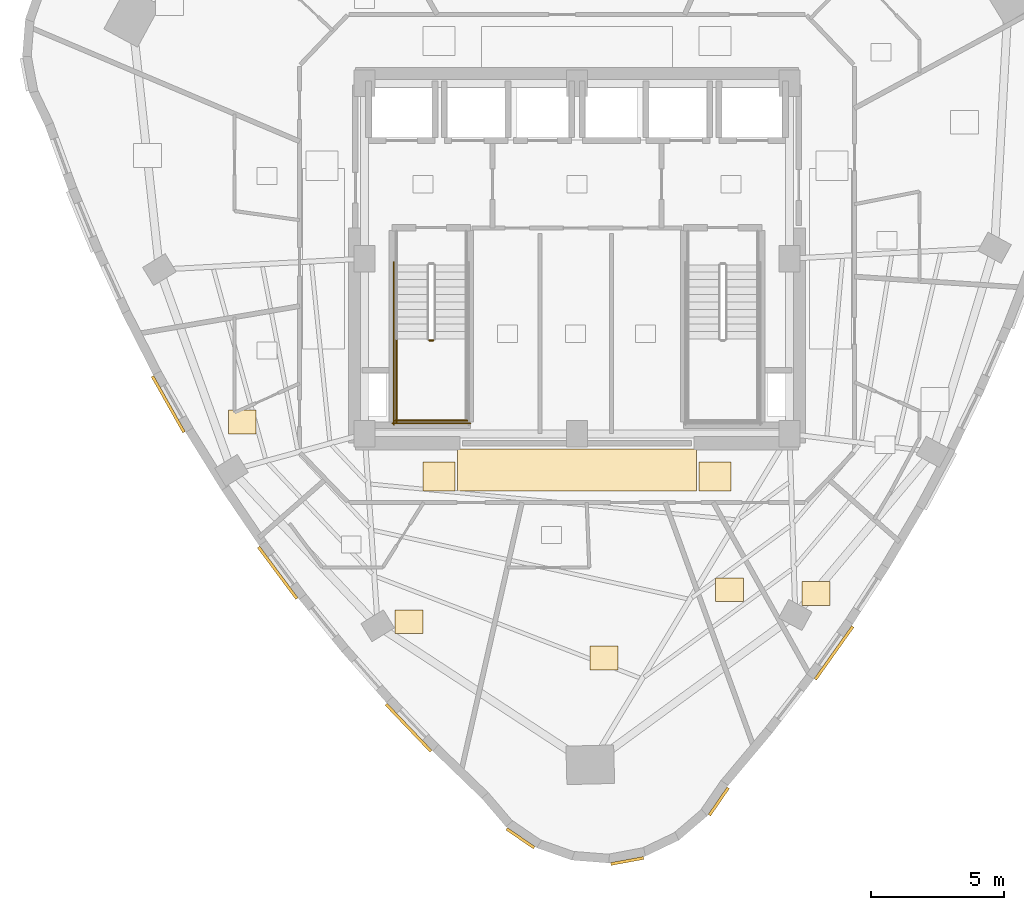
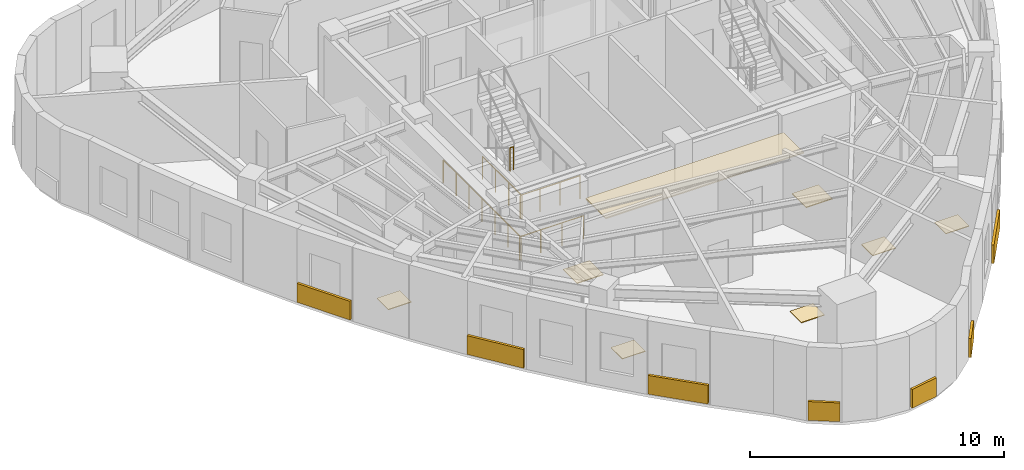
# One storey, part 10 of 12: 15 coverings, 5 railings.
"""IFC4 building model written with IfcOpenShell, lengths in metres."""

from ifc_helpers import new_model, si_unit, direction, frame, origin, origin_2d, place, context, subcontext, project, spatial, rectangle, circle, extrude, material, layer, layer_set, type_object, element, save


model = new_model("IFC4")

# Units and contexts
model_context = context("Model", 3, precision=1e-05, world=origin(), true_north=direction((0.0, 1.0)))
body_context = subcontext(model_context, "Body", "Model", "MODEL_VIEW")
ifc_project = project(units=[si_unit("LENGTHUNIT", "METRE"), si_unit("AREAUNIT", "SQUARE_METRE"), si_unit("VOLUMEUNIT", "CUBIC_METRE"), si_unit("PLANEANGLEUNIT", "RADIAN"), si_unit("MASSUNIT", "GRAM", prefix="KILO")], contexts=[model_context])

# Site, building, storey
site_placement = place(None, origin())
site = spatial("IfcSite", under=ifc_project, at=site_placement, CompositionType="ELEMENT")
building_placement = place(site_placement, origin())
building = spatial("IfcBuilding", under=site, at=building_placement, Name="Ndelora Gate Hotel", CompositionType="ELEMENT")
storey_placement = place(building_placement, frame((0.0, 0.0, 220.75)))
storey = spatial("IfcBuildingStorey", under=building, at=storey_placement, Name="L55", CompositionType="ELEMENT", Elevation=220.75)

# Coverings
ifc_material_1 = material(Name="Perforated Acoustic Gypsum Board", Category="gypsum")
ifc_layer_1 = layer(ifc_material_1, 0.054931640625)
ifc_layer_set_1 = layer_set([ifc_layer_1], Name="Perforated Acoustic Gypsum Board")
covering_type_1 = type_object("IfcCoveringType", Name="COV-CEIL-AC60", PredefinedType="CEILING", material=ifc_layer_set_1)
covering_1_placement = place(storey_placement, frame((0.0, -7.9599609375, 2.65234375), z_axis=(0.0, 0.0, 1.0), x_axis=(1.0, 0.0, 0.0)))
element("IfcCovering", 1, at=covering_1_placement, inside=storey, type_object=covering_type_1, Name="L55 Guest Corridor Acoustic Ceiling S", PredefinedType="CEILING", context=body_context, shape_type="SweptSolid", body=[
    extrude(rectangle(XDim=9.0, YDim=1.580078125, at=origin_2d()), origin(), (0.0, 0.0, 1.0), 0.054931640625),
])
ifc_material_2 = material(Name="Terracotta Fired Clay Brick Slip Cladding", Category="masonry")
ifc_layer_2 = layer(ifc_material_2, 0.110107421875)
ifc_layer_set_2 = layer_set([ifc_layer_2], Name="Terracotta Fired Clay Brick Slip Cladding")
covering_type_2 = type_object("IfcCoveringType", Name="COV-CLAD-BRK", PredefinedType="CLADDING", material=ifc_layer_set_2)
covering_2_placement = place(storey_placement, frame((-15.397705078125, -5.48388671875, 0.10009765625), z_axis=(0.0, 0.0, 1.0), x_axis=(-0.490903753615, 0.87121381112, 0.0)))
element("IfcCovering", 2, at=covering_2_placement, inside=storey, type_object=covering_type_2, Name="L55 Rounded-Corner Brick Cladding Band 13", PredefinedType="CLADDING", context=body_context, shape_type="SweptSolid", body=[
    extrude(rectangle(XDim=2.419921875, YDim=0.110107421875, at=origin_2d()), origin(), (0.0, 0.0, 1.0), 0.89990234375),
])
covering_3_placement = place(storey_placement, frame((-11.2724609375, -11.836181640625, 0.10009765625), z_axis=(0.0, 0.0, 1.0), x_axis=(-0.596224874966, 0.802817475191, 0.0)))
element("IfcCovering", 3, at=covering_3_placement, inside=storey, type_object=covering_type_2, Name="L55 Rounded-Corner Brick Cladding Band 16", PredefinedType="CLADDING", context=body_context, shape_type="SweptSolid", body=[
    extrude(rectangle(XDim=2.4208984375, YDim=0.110107421875, at=origin_2d()), origin(), (0.0, 0.0, 1.0), 0.89990234375),
])
covering_4_placement = place(storey_placement, frame((-6.34814453125, -17.66845703125, 0.10009765625), z_axis=(0.0, 0.0, 1.0), x_axis=(-0.690756218984, 0.723087716626, 0.0)))
element("IfcCovering", 4, at=covering_4_placement, inside=storey, type_object=covering_type_2, Name="L55 Rounded-Corner Brick Cladding Band 19", PredefinedType="CLADDING", context=body_context, shape_type="SweptSolid", body=[
    extrude(rectangle(XDim=2.4599609375, YDim=0.110107421875, at=origin_2d()), origin(), (0.0, 0.0, 1.0), 0.89990234375),
])
for number, where, z_axis, x_axis, name in (
    (5, (-2.131591796875, -21.833251953125, 0.10009765625), (0.0, 0.0, 1.0), (-0.824126188622, 0.566406236925, 0.0), "L55 Rounded-Corner Brick Cladding Band 22"),
    (6, (1.8916015625, -22.6884765625, 0.10009765625), (0.0, 0.0, 1.0), (0.983254907564, 0.182235525492, 0.0), "L55 Rounded-Corner Brick Cladding Band 25"),
):
    element("IfcCovering", number, at=place(storey_placement, frame(where, z_axis=z_axis, x_axis=x_axis)), inside=storey, type_object=covering_type_2, Name=name, PredefinedType="CLADDING", context=body_context, shape_type="SweptSolid", body=[
        extrude(rectangle(XDim=1.257080078125, YDim=0.110107421875, at=origin_2d()), origin(), (0.0, 0.0, 1.0), 0.89990234375),
    ])
covering_5_placement = place(storey_placement, frame((5.341064453125, -20.4482421875, 0.10009765625), z_axis=(0.0, 0.0, 1.0), x_axis=(0.566406236925, 0.824126188622, 0.0)))
element("IfcCovering", 7, at=covering_5_placement, inside=storey, type_object=covering_type_2, Name="L55 Rounded-Corner Brick Cladding Band 28", PredefinedType="CLADDING", context=body_context, shape_type="SweptSolid", body=[
    extrude(rectangle(XDim=1.258056640625, YDim=0.110107421875, at=origin_2d()), origin(), (0.0, 0.0, 1.0), 0.89990234375),
])
covering_6_placement = place(storey_placement, frame((9.68359375, -14.851318359375, 0.10009765625), z_axis=(0.0, 0.0, 1.0), x_axis=(0.578711964667, 0.815532011604, 0.0)))
element("IfcCovering", 8, at=covering_6_placement, inside=storey, type_object=covering_type_2, Name="L55 Rounded-Corner Brick Cladding Band 31", PredefinedType="CLADDING", context=body_context, shape_type="SweptSolid", body=[
    extrude(rectangle(XDim=2.443115234375, YDim=0.110107421875, at=origin_2d()), origin(), (0.0, 0.0, 1.0), 0.89990234375),
])
ifc_material_3 = material(Name="Engineered Highland Oak Parquet", Category="wood")
ifc_layer_3 = layer(ifc_material_3, 0.030029296875)
ifc_layer_set_3 = layer_set([ifc_layer_3], Name="Engineered Highland Oak Parquet")
covering_type_3 = type_object("IfcCoveringType", Name="COV-FLR-PARQ", PredefinedType="FLOORING", material=ifc_layer_set_3)
for number, where, z_axis, x_axis, name in (
    (9, (-12.608154296875, -6.148681640625, 0.0), (0.0, 0.0, 1.0), (1.0, 0.0, 0.0), "L55 Altitude Superior Guest Room 5806 Oak Parquet Flooring"),
    (10, (-6.324462890625, -13.67529296875, 0.0), (0.0, 0.0, 1.0), (1.0, 0.0, 0.0), "L55 Corner Horizon Suite 5807 Oak Parquet Flooring"),
    (11, (1.022216796875, -15.044921875, 0.0), (0.0, 0.0, 1.0), (1.0, 0.0, 0.0), "L55 Altitude Club Junior Suite 5808 Oak Parquet Flooring"),
    (12, (5.7421875, -12.47216796875, 0.0), (0.0, 0.0, 1.0), (1.0, 0.0, 0.0), "L55 Male Public Restroom Oak Parquet Flooring"),
    (13, (8.995361328125, -12.60546875, 0.0), (0.0, 0.0, 1.0), (1.0, 0.0, 0.0), "L55 Housekeeping and Linen Room Oak Parquet Flooring"),
):
    element("IfcCovering", number, at=place(storey_placement, frame(where, z_axis=z_axis, x_axis=x_axis)), inside=storey, type_object=covering_type_3, Name=name, PredefinedType="FLOORING", context=body_context, shape_type="SweptSolid", body=[
        extrude(rectangle(XDim=1.050048828125, YDim=0.89990234375, at=origin_2d()), origin(), (0.0, 0.0, 1.0), 0.030029296875),
    ])
ifc_material_4 = material(Name="Polished Highland Stone Terrazzo", Category="masonry")
ifc_layer_4 = layer(ifc_material_4, 0.034912109375)
ifc_layer_set_4 = layer_set([ifc_layer_4], Name="Polished Highland Stone Terrazzo")
covering_type_4 = type_object("IfcCoveringType", Name="COV-FLR-TERZ", PredefinedType="FLOORING", material=ifc_layer_set_4)
for number, where, z_axis, x_axis, name in (
    (14, (-5.199951171875, -8.199951171875, 0.0), (0.0, 0.0, 1.0), (1.0, 0.0, 0.0), "L55 Corridor Threshold Terrazzo Inlay SW"),
    (15, (5.199951171875, -8.199951171875, 0.0), (0.0, 0.0, 1.0), (1.0, 0.0, 0.0), "L55 Corridor Threshold Terrazzo Inlay SE"),
):
    element("IfcCovering", number, at=place(storey_placement, frame(where, z_axis=z_axis, x_axis=x_axis)), inside=storey, type_object=covering_type_4, Name=name, PredefinedType="FLOORING", context=body_context, shape_type="SweptSolid", body=[
        extrude(rectangle(XDim=1.199951171875, YDim=1.10009765625, at=origin_2d()), origin(), (0.0, 0.0, 1.0), 0.034912109375),
    ])

# Railings
ifc_material_5 = material(Name="Painted Galvanized Steel Balustrade", Category="steel")
ifc_layer_5 = layer(ifc_material_5, 0.06005859375)
ifc_layer_set_5 = layer_set([ifc_layer_5], Name="Painted Galvanized Steel Balustrade")
railing_type = type_object("IfcRailingType", Name="RL-STAIR-GD", PredefinedType="GUARDRAIL", material=ifc_layer_set_5)
railing_1_placement = place(storey_placement, frame((-5.570068359375, -3.080078125, 1.89990234375)))
element("IfcRailing", 16, at=railing_1_placement, inside=storey, type_object=railing_type, Name="L55 ST4 stair guard 2", PredefinedType="GUARDRAIL", context=body_context, shape_type="SweptSolid", body=[
    extrude(circle(Radius=0.02392578125, at=origin_2d()), frame((0.0, 0.0, 1.10595703125), z_axis=(1.0, 0.0, 0.0), x_axis=(0.0, 1.0, 0.0)), (0.0, 0.0, 1.0), 0.16015625),
    extrude(circle(Radius=0.02099609375, at=origin_2d()), origin(), (0.0, 0.0, 1.0), 1.081787109375),
    extrude(circle(Radius=0.02099609375, at=origin_2d()), frame((0.16015625, 0.0, 0.0)), (0.0, 0.0, 1.0), 1.081787109375),
])
railing_2_placement = place(storey_placement, frame((-6.800048828125, -3.030029296875, 1.89990234375)))
element("IfcRailing", 17, at=railing_2_placement, inside=storey, type_object=railing_type, Name="L55 ST4 stair guard 3", PredefinedType="GUARDRAIL", context=body_context, shape_type="SweptSolid", body=[
    extrude(circle(Radius=0.02392578125, at=origin_2d()), frame((0.0, 0.0, 1.10595703125), z_axis=(0.0, -1.0, 0.0), x_axis=(1.0, 0.0, 0.0)), (0.0, 0.0, 1.0), 3.119873046875),
    extrude(circle(Radius=0.02099609375, at=origin_2d()), origin(), (0.0, 0.0, 1.0), 1.081787109375),
    extrude(circle(Radius=0.02099609375, at=origin_2d()), frame((0.0, -1.0400390625, 0.0)), (0.0, 0.0, 1.0), 1.081787109375),
    extrude(circle(Radius=0.02099609375, at=origin_2d()), frame((0.0, -2.079833984375, 0.0)), (0.0, 0.0, 1.0), 1.081787109375),
    extrude(circle(Radius=0.02099609375, at=origin_2d()), frame((0.0, -3.119873046875, 0.0)), (0.0, 0.0, 1.0), 1.081787109375),
])
railing_3_placement = place(storey_placement, frame((-6.85009765625, -6.10009765625, 1.89990234375)))
element("IfcRailing", 18, at=railing_3_placement, inside=storey, type_object=railing_type, Name="L55 ST4 stair guard 5", PredefinedType="GUARDRAIL", context=body_context, shape_type="SweptSolid", body=[
    extrude(circle(Radius=0.02392578125, at=origin_2d()), frame((0.0, 0.0, 1.10595703125), z_axis=(1.0, 0.0, 0.0), x_axis=(0.0, 1.0, 0.0)), (0.0, 0.0, 1.0), 2.72021484375),
    extrude(circle(Radius=0.02099609375, at=origin_2d()), origin(), (0.0, 0.0, 1.0), 1.081787109375),
    extrude(circle(Radius=0.02099609375, at=origin_2d()), frame((0.90673828125, 0.0, 0.0)), (0.0, 0.0, 1.0), 1.081787109375),
    extrude(circle(Radius=0.02099609375, at=origin_2d()), frame((1.8134765625, 0.0, 0.0)), (0.0, 0.0, 1.0), 1.081787109375),
    extrude(circle(Radius=0.02099609375, at=origin_2d()), frame((2.72021484375, 0.0, 0.0)), (0.0, 0.0, 1.0), 1.081787109375),
])
railing_4_placement = place(storey_placement, frame((-6.89990234375, -0.1298828125, 0.0)))
element("IfcRailing", 19, at=railing_4_placement, inside=storey, type_object=railing_type, Name="L55 ST4 stair guard 10", PredefinedType="GUARDRAIL", context=body_context, shape_type="SweptSolid", body=[
    extrude(circle(Radius=0.02392578125, at=origin_2d()), frame((0.0, 0.0, 1.10595703125), z_axis=(0.0, -1.0, 0.0), x_axis=(1.0, 0.0, 0.0)), (0.0, 0.0, 1.0), 6.1201171875),
    extrude(circle(Radius=0.02099609375, at=origin_2d()), origin(), (0.0, 0.0, 1.0), 1.081787109375),
    extrude(circle(Radius=0.02099609375, at=origin_2d()), frame((0.0, -1.02001953125, 0.0)), (0.0, 0.0, 1.0), 1.081787109375),
    extrude(circle(Radius=0.02099609375, at=origin_2d()), frame((0.0, -2.0400390625, 0.0)), (0.0, 0.0, 1.0), 1.081787109375),
    extrude(circle(Radius=0.02099609375, at=origin_2d()), frame((0.0, -3.06005859375, 0.0)), (0.0, 0.0, 1.0), 1.081787109375),
    extrude(circle(Radius=0.02099609375, at=origin_2d()), frame((0.0, -4.080078125, 0.0)), (0.0, 0.0, 1.0), 1.081787109375),
    extrude(circle(Radius=0.02099609375, at=origin_2d()), frame((0.0, -5.10009765625, 0.0)), (0.0, 0.0, 1.0), 1.081787109375),
    extrude(circle(Radius=0.02099609375, at=origin_2d()), frame((0.0, -6.1201171875, 0.0)), (0.0, 0.0, 1.0), 1.081787109375),
])
railing_5_placement = place(storey_placement, frame((-6.949951171875, -6.199951171875, 0.0)))
element("IfcRailing", 20, at=railing_5_placement, inside=storey, type_object=railing_type, Name="L55 ST4 stair guard 12", PredefinedType="GUARDRAIL", context=body_context, shape_type="SweptSolid", body=[
    extrude(circle(Radius=0.02392578125, at=origin_2d()), frame((0.0, 0.0, 1.10595703125), z_axis=(1.0, 0.0, 0.0), x_axis=(0.0, 1.0, 0.0)), (0.0, 0.0, 1.0), 2.919921875),
    extrude(circle(Radius=0.02099609375, at=origin_2d()), origin(), (0.0, 0.0, 1.0), 1.081787109375),
    extrude(circle(Radius=0.02099609375, at=origin_2d()), frame((0.973388671875, 0.0, 0.0)), (0.0, 0.0, 1.0), 1.081787109375),
    extrude(circle(Radius=0.02099609375, at=origin_2d()), frame((1.946533203125, 0.0, 0.0)), (0.0, 0.0, 1.0), 1.081787109375),
    extrude(circle(Radius=0.02099609375, at=origin_2d()), frame((2.919921875, 0.0, 0.0)), (0.0, 0.0, 1.0), 1.081787109375),
])

save(model, "model.ifc")
